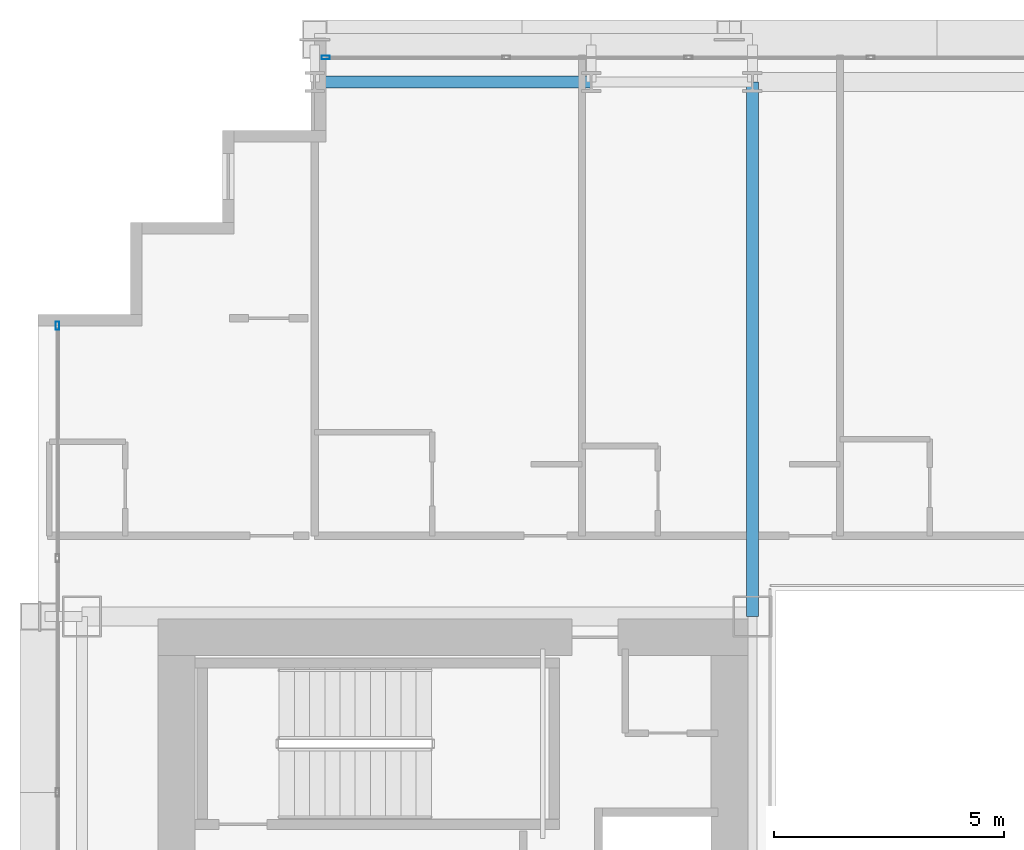
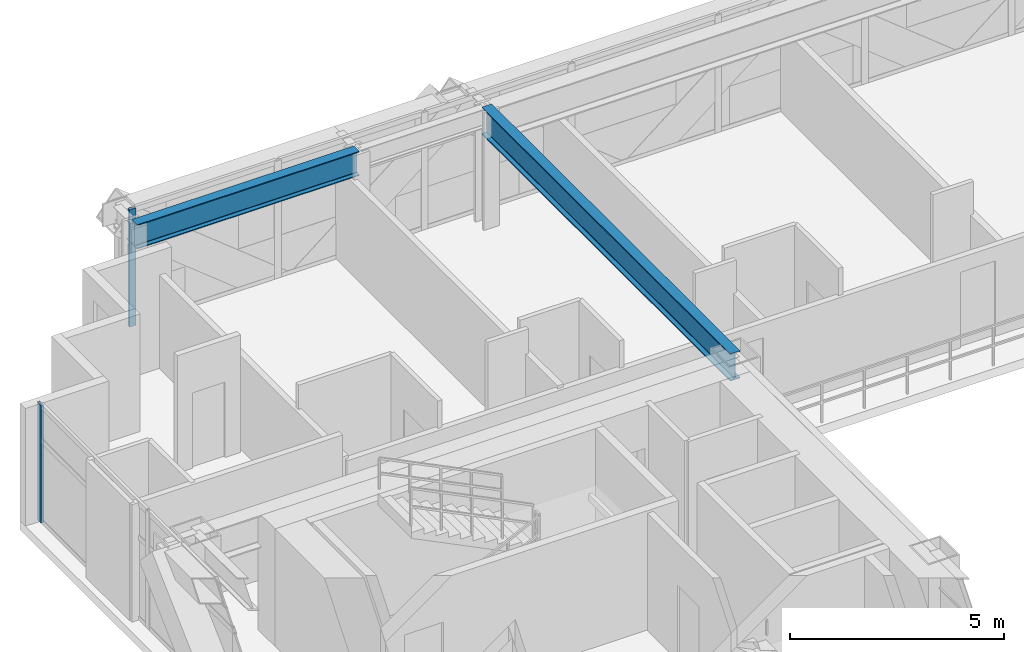
# One storey, part 17 of 38: 2 beams, 2 members, 2 elements without a shape of their own.
"""IFC4 building model written with IfcOpenShell, lengths in metres."""

from ifc_helpers import new_model, si_unit, direction, frame, origin, origin_2d, place, context, subcontext, project, spatial, hollow_rectangle, i_section, extrude, source, transform, mapped, material, layer, layer_set, material_profile, profile_set, type_object, element, aggregate, save


model = new_model("IFC4")

# Units and contexts
model_context = context("Model", 3, precision=1e-05, world=origin(), true_north=direction((0.0, 1.0)))
body_context = subcontext(model_context, "Body", "Model", "MODEL_VIEW")
ifc_project = project(units=[si_unit("LENGTHUNIT", "METRE"), si_unit("AREAUNIT", "SQUARE_METRE"), si_unit("VOLUMEUNIT", "CUBIC_METRE"), si_unit("PLANEANGLEUNIT", "RADIAN"), si_unit("MASSUNIT", "GRAM", prefix="KILO")], contexts=[model_context])

# Site, building, storey
site_placement = place(None, origin())
site = spatial("IfcSite", under=ifc_project, at=site_placement, CompositionType="ELEMENT")
building_placement = place(site_placement, origin())
building = spatial("IfcBuilding", under=site, at=building_placement, Name="Ocotamira Hotel", CompositionType="ELEMENT")
storey_placement = place(building_placement, frame((0.0, 0.0, 45.60009765625)))
storey = spatial("IfcBuildingStorey", under=building, at=storey_placement, Name="L10", CompositionType="ELEMENT", Elevation=45.60009765625)

# Beams
ifc_material_1 = material(Name="Steel ASTM A992 Grade 50", Category="steel")
ifc_material_profile_1 = material_profile(ifc_material_1, i_section(OverallWidth=0.256103515625, OverallDepth=0.693115234375, WebThickness=0.014404296875, FlangeThickness=0.023681640625, FilletRadius=0.01611328125, at=origin_2d()), Name="W27X114")
ifc_profile_set_1 = profile_set([ifc_material_profile_1], Name="Steel ASTM A992 Grade 50")
beam_type_1 = type_object("IfcBeamType", Name="BM-PRIM-W27X114", PredefinedType="BEAM", material=ifc_profile_set_1)
shared_shape_1 = source(origin(), body_context, "Body", "SweptSolid", [
    extrude(i_section(OverallWidth=0.256103515625, OverallDepth=0.693115234375, WebThickness=0.014404296875, FlangeThickness=0.023681640625, FilletRadius=0.01611328125, at=origin_2d()), origin(), (0.0, 0.0, 1.0), 6.0),
])
beam_1_placement = place(storey_placement, frame((14.0, 49.050048828125, 3.00341796875), z_axis=(1.0, 0.0, 0.0), x_axis=(0.0, 1.0, 0.0)))
element("IfcBeam", 1, at=beam_1_placement, inside=storey, type_object=beam_type_1, Name="L10 Girder Y49.05 X14-20", PredefinedType="BEAM", context=body_context, shape_type="MappedRepresentation", body=[
    mapped(shared_shape_1, transform((0.0, 0.0, 0.0), scale=1.0)),
])
ifc_material_profile_2 = material_profile(ifc_material_1, i_section(OverallWidth=0.26611328125, OverallDepth=0.779052734375, WebThickness=0.0166015625, FlangeThickness=0.030029296875, FilletRadius=0.01806640625, at=origin_2d()), Name="W30X148")
ifc_profile_set_2 = profile_set([ifc_material_profile_2], Name="Steel ASTM A992 Grade 50")
beam_type_2 = type_object("IfcBeamType", Name="BM-GIRD-W30X148", PredefinedType="BEAM", material=ifc_profile_set_2)
shared_shape_2 = source(origin(), body_context, "Body", "SweptSolid", [
    extrude(i_section(OverallWidth=0.26611328125, OverallDepth=0.779052734375, WebThickness=0.0166015625, FlangeThickness=0.030029296875, FilletRadius=0.01806640625, at=origin_2d()), origin(), (0.0, 0.0, 1.0), 11.60009765625),
])
beam_2_placement = place(storey_placement, frame((23.5, 37.449951171875, 2.96044921875), z_axis=(0.0, 1.0, 0.0), x_axis=(-1.0, 0.0, 0.0)))
element("IfcBeam", 2, at=beam_2_placement, inside=storey, type_object=beam_type_2, Name="L10 Beam X23.5 Y37.45-49.05", PredefinedType="BEAM", context=body_context, shape_type="MappedRepresentation", body=[
    mapped(shared_shape_2, transform((0.0, 0.0, 0.0), scale=1.0)),
])

# Curtain wall, member
ifc_material_2 = material(Name="Anodised pale-metal aluminium and solar glass", Category="aluminium")
ifc_layer = layer(ifc_material_2, 0.179931640625)
ifc_layer_set = layer_set([ifc_layer], Name="Anodised pale-metal aluminium and solar glass")
curtain_wall_type = type_object("IfcCurtainWallType", Name="CW-SYS2-Z1", PredefinedType="NOTDEFINED", material=ifc_layer_set)
curtain_wall_1_placement = place(storey_placement, origin())
curtain_wall_1 = element("IfcCurtainWall", 3, at=curtain_wall_1_placement, inside=storey, type_object=curtain_wall_type, Name="L10 Curtain Wall CW-2 CW-L10-N", PredefinedType="NOTDEFINED")
ifc_material_3 = material(Name="Anodised pale-metal aluminium 6063-T6", Category="aluminium")
ifc_material_profile_3 = material_profile(ifc_material_3, hollow_rectangle(XDim=0.080078125, YDim=0.179931640625, WallThickness=0.006103515625, at=origin_2d()), Name="HSS180X80X6")
ifc_profile_set_3 = profile_set([ifc_material_profile_3], Name="Anodised pale-metal aluminium 6063-T6")
member_type = type_object("IfcMemberType", Name="CWM-180X75", PredefinedType="MULLION", material=ifc_profile_set_3)
shared_shape_3 = source(origin(), body_context, "Body", "SweptSolid", [
    extrude(hollow_rectangle(XDim=0.080078125, YDim=0.179931640625, WallThickness=0.006103515625, at=origin_2d()), origin(), (0.0, 0.0, 1.0), 3.349853515625),
])
member_1_placement = place(storey_placement, frame((14.239990234375, 49.580078125, 0.0), z_axis=(0.0, 0.0, 1.0), x_axis=(0.0, 1.0, 0.0)))
member_1 = element("IfcMember", 4, at=member_1_placement, type_object=member_type, Name="CW-2 mullion 1", PredefinedType="MULLION", context=body_context, shape_type="MappedRepresentation", body=[
    mapped(shared_shape_3, transform((0.0, 0.0, 0.0), scale=1.0)),
])
aggregate(curtain_wall_1, [member_1])

curtain_wall_2_placement = place(storey_placement, origin())
curtain_wall_2 = element("IfcCurtainWall", 5, at=curtain_wall_2_placement, inside=storey, type_object=curtain_wall_type, Name="L10 Curtain Wall CW-2 CW-L10-W", PredefinedType="NOTDEFINED")
member_2_placement = place(storey_placement, frame((8.419921875, 43.760009765625, 0.0), z_axis=(0.0, 0.0, 1.0), x_axis=(-1.0, 0.0, 0.0)))
member_2 = element("IfcMember", 6, at=member_2_placement, type_object=member_type, Name="CW-2 mullion 8", PredefinedType="MULLION", context=body_context, shape_type="MappedRepresentation", body=[
    mapped(shared_shape_3, transform((0.0, 0.0, 0.0), scale=1.0)),
])
aggregate(curtain_wall_2, [member_2])

save(model, "model.ifc")
